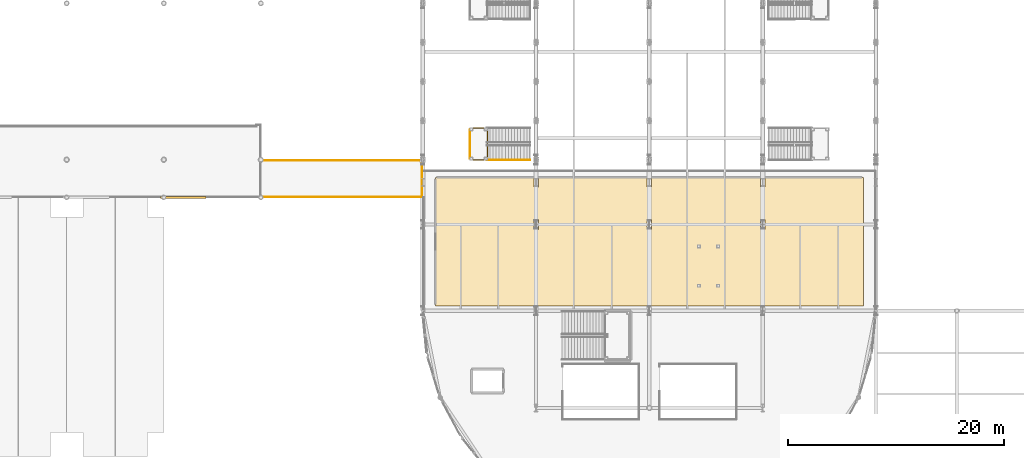
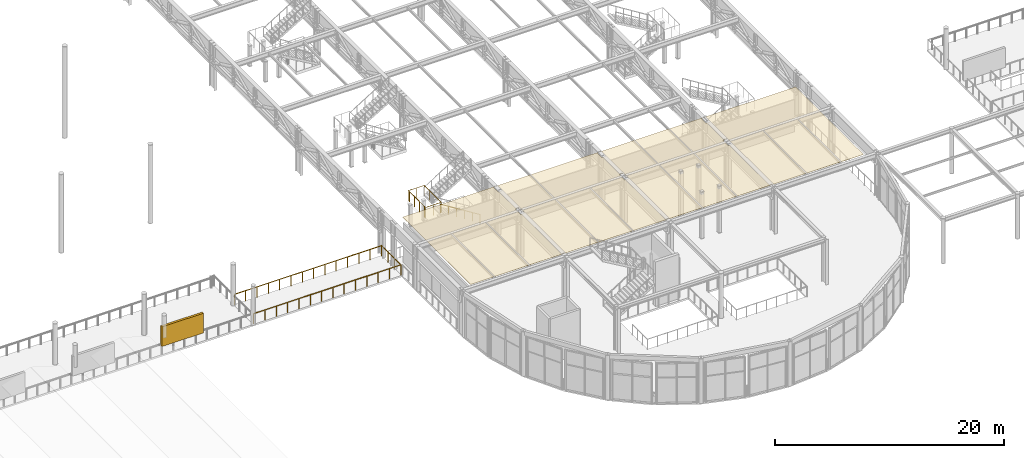
# One storey, part 121 of 143: 5 railings, 1 covering, 1 shading device.
"""IFC4 building model written with IfcOpenShell, lengths in metres."""

from ifc_helpers import new_model, si_unit, direction, frame, origin, origin_2d, place, context, subcontext, project, spatial, polyline, rectangle, circle, outline, extrude, material, layer, layer_set, type_object, element, save


model = new_model("IFC4")

# Units and contexts
model_context = context("Model", 3, precision=1e-05, world=origin(), true_north=direction((0.0, 1.0)))
body_context = subcontext(model_context, "Body", "Model", "MODEL_VIEW")
ifc_project = project(units=[si_unit("LENGTHUNIT", "METRE"), si_unit("AREAUNIT", "SQUARE_METRE"), si_unit("VOLUMEUNIT", "CUBIC_METRE"), si_unit("PLANEANGLEUNIT", "RADIAN"), si_unit("MASSUNIT", "GRAM", prefix="KILO")], contexts=[model_context])

# Site, building, storey
site_placement = place(None, origin())
site = spatial("IfcSite", under=ifc_project, at=site_placement, CompositionType="ELEMENT")
building_placement = place(site_placement, origin())
building = spatial("IfcBuilding", under=site, at=building_placement, Name="Marlcrest Central Station", CompositionType="ELEMENT")
storey_placement = place(building_placement, frame((0.0, 0.0, 4.800048828125)))
storey = spatial("IfcBuildingStorey", under=building, at=storey_placement, Name="L01", CompositionType="ELEMENT", Elevation=4.800048828125)

# Covering
ifc_material_1 = material(Name="Perforated acoustic mineral-fibre ceiling")
ifc_layer = layer(ifc_material_1, 0.02490234375, Name="CV-CLG")
ifc_layer_set = layer_set([ifc_layer], Name="Perforated acoustic mineral-fibre ceiling")
covering_type = type_object("IfcCoveringType", Name="CV-CLG", PredefinedType="CEILING", material=ifc_layer_set)
covering_placement = place(storey_placement, frame((0.0, 0.0, 4.675048828125)))
element("IfcCovering", 1, at=covering_placement, inside=storey, type_object=covering_type, Name="cov-clg-0071", PredefinedType="CEILING", context=body_context, shape_type="SweptSolid", body=[
    extrude(outline(polyline([(97.7099609375, 22.9599609375), (97.2900390625, 22.9599609375), (88.159912109375, 22.9599609375), (88.159912109375, 34.840087890625), (127.840087890625, 34.840087890625), (127.840087890625, 22.9599609375), (118.7099609375, 22.9599609375), (118.2900390625, 22.9599609375), (108.2099609375, 22.9599609375), (107.7900390625, 22.9599609375), (97.7099609375, 22.9599609375)]), holes=[polyline([(97.2900390625, 30.9599609375), (97.2900390625, 30.0400390625), (97.7099609375, 30.0400390625), (97.7099609375, 30.9599609375), (97.2900390625, 30.9599609375)]), polyline([(108.2099609375, 30.9599609375), (107.7900390625, 30.9599609375), (107.7900390625, 30.0400390625), (108.2099609375, 30.0400390625), (108.2099609375, 30.9599609375)]), polyline([(118.7099609375, 30.0400390625), (118.7099609375, 30.9599609375), (118.2900390625, 30.9599609375), (118.2900390625, 30.0400390625), (118.7099609375, 30.0400390625)]), polyline([(97.2900390625, 33.989990234375), (97.7099609375, 33.989990234375), (97.7099609375, 34.81005859375), (97.2900390625, 34.81005859375), (97.2900390625, 33.989990234375)]), polyline([(107.7900390625, 34.81005859375), (107.7900390625, 33.989990234375), (108.2099609375, 33.989990234375), (108.2099609375, 34.81005859375), (107.7900390625, 34.81005859375)]), polyline([(118.7099609375, 34.81005859375), (118.2900390625, 34.81005859375), (118.2900390625, 33.989990234375), (118.7099609375, 33.989990234375), (118.7099609375, 34.81005859375)])]), origin(), (0.0, 0.0, 1.0), 0.02490234375),
])

# Railings
ifc_material_2 = material(Name="Stainless steel and laminated glass concourse balustrade", Category="steel")
railing_type_1 = type_object("IfcRailingType", Name="GR-02", PredefinedType="BALUSTRADE", material=ifc_material_2)
railing_1_placement = place(storey_placement, frame((91.3798828125, 36.4599609375, 2.5)))
element("IfcRailing", 2, at=railing_1_placement, inside=storey, type_object=railing_type_1, Name="hr-L01-00016", PredefinedType="BALUSTRADE", context=body_context, shape_type="SweptSolid", body=[
    extrude(circle(Radius=0.02392578125, at=origin_2d()), frame((0.0, 0.0, 1.09619140625), z_axis=(1.0, 0.0, 0.0), x_axis=(0.0, 1.0, 0.0)), (0.0, 0.0, 1.0), 1.60009765625),
    extrude(circle(Radius=0.02392578125, at=origin_2d()), frame((1.60009765625, 0.0, 1.09619140625), z_axis=(0.0, 1.0, 0.0), x_axis=(-1.0, 0.0, 0.0)), (0.0, 0.0, 1.0), 2.97998046875),
    extrude(circle(Radius=0.02392578125, at=origin_2d()), frame((1.60009765625, 2.97998046875, 1.09619140625), z_axis=(-1.0, 0.0, 0.0), x_axis=(0.0, -1.0, 0.0)), (0.0, 0.0, 1.0), 1.60009765625),
    extrude(circle(Radius=0.02099609375, at=origin_2d()), origin(), (0.0, 0.0, 1.0), 1.072021484375),
    extrude(circle(Radius=0.02099609375, at=origin_2d()), frame((0.800048828125, 0.0, 0.0)), (0.0, 0.0, 1.0), 1.072021484375),
    extrude(circle(Radius=0.02099609375, at=origin_2d()), frame((1.60009765625, 0.0, 0.0)), (0.0, 0.0, 1.0), 1.072021484375),
    extrude(circle(Radius=0.02099609375, at=origin_2d()), frame((1.60009765625, 0.993408203125, 0.0)), (0.0, 0.0, 1.0), 1.072021484375),
    extrude(circle(Radius=0.02099609375, at=origin_2d()), frame((1.60009765625, 1.986572265625, 0.0)), (0.0, 0.0, 1.0), 1.072021484375),
    extrude(circle(Radius=0.02099609375, at=origin_2d()), frame((1.60009765625, 2.97998046875, 0.0)), (0.0, 0.0, 1.0), 1.072021484375),
    extrude(circle(Radius=0.02099609375, at=origin_2d()), frame((0.800048828125, 2.97998046875, 0.0)), (0.0, 0.0, 1.0), 1.072021484375),
    extrude(circle(Radius=0.02099609375, at=origin_2d()), frame((0.0, 2.97998046875, 0.0)), (0.0, 0.0, 1.0), 1.072021484375),
])
railing_2_placement = place(storey_placement, frame((86.93994140625, 36.43994140625, 0.0)))
element("IfcRailing", 3, at=railing_2_placement, inside=storey, type_object=railing_type_1, Name="hr-L01-00400", PredefinedType="BALUSTRADE", context=body_context, shape_type="SweptSolid", body=[
    extrude(circle(Radius=0.02392578125, at=origin_2d()), frame((0.0, 0.0, 1.09619140625), z_axis=(0.0, -1.0, 0.0), x_axis=(1.0, 0.0, 0.0)), (0.0, 0.0, 1.0), 3.3798828125),
    extrude(circle(Radius=0.02392578125, at=origin_2d()), frame((0.0, -3.3798828125, 1.09619140625), z_axis=(-1.0, 0.0, 0.0), x_axis=(0.0, -1.0, 0.0)), (0.0, 0.0, 1.0), 14.85986328125),
    extrude(circle(Radius=0.02099609375, at=origin_2d()), origin(), (0.0, 0.0, 1.0), 1.072021484375),
    extrude(circle(Radius=0.02099609375, at=origin_2d()), frame((0.0, -1.126708984375, 0.0)), (0.0, 0.0, 1.0), 1.072021484375),
    extrude(circle(Radius=0.02099609375, at=origin_2d()), frame((0.0, -2.253173828125, 0.0)), (0.0, 0.0, 1.0), 1.072021484375),
    extrude(circle(Radius=0.02099609375, at=origin_2d()), frame((0.0, -3.3798828125, 0.0)), (0.0, 0.0, 1.0), 1.072021484375),
    extrude(circle(Radius=0.02099609375, at=origin_2d()), frame((-1.14306640625, -3.3798828125, 0.0)), (0.0, 0.0, 1.0), 1.072021484375),
    extrude(circle(Radius=0.02099609375, at=origin_2d()), frame((-2.2861328125, -3.3798828125, 0.0)), (0.0, 0.0, 1.0), 1.072021484375),
    extrude(circle(Radius=0.02099609375, at=origin_2d()), frame((-3.42919921875, -3.3798828125, 0.0)), (0.0, 0.0, 1.0), 1.072021484375),
    extrude(circle(Radius=0.02099609375, at=origin_2d()), frame((-4.572265625, -3.3798828125, 0.0)), (0.0, 0.0, 1.0), 1.072021484375),
    extrude(circle(Radius=0.02099609375, at=origin_2d()), frame((-5.71533203125, -3.3798828125, 0.0)), (0.0, 0.0, 1.0), 1.072021484375),
    extrude(circle(Radius=0.02099609375, at=origin_2d()), frame((-6.8583984375, -3.3798828125, 0.0)), (0.0, 0.0, 1.0), 1.072021484375),
    extrude(circle(Radius=0.02099609375, at=origin_2d()), frame((-8.00146484375, -3.3798828125, 0.0)), (0.0, 0.0, 1.0), 1.072021484375),
    extrude(circle(Radius=0.02099609375, at=origin_2d()), frame((-9.14453125, -3.3798828125, 0.0)), (0.0, 0.0, 1.0), 1.072021484375),
    extrude(circle(Radius=0.02099609375, at=origin_2d()), frame((-10.28759765625, -3.3798828125, 0.0)), (0.0, 0.0, 1.0), 1.072021484375),
    extrude(circle(Radius=0.02099609375, at=origin_2d()), frame((-11.4306640625, -3.3798828125, 0.0)), (0.0, 0.0, 1.0), 1.072021484375),
    extrude(circle(Radius=0.02099609375, at=origin_2d()), frame((-12.57373046875, -3.3798828125, 0.0)), (0.0, 0.0, 1.0), 1.072021484375),
    extrude(circle(Radius=0.02099609375, at=origin_2d()), frame((-13.716796875, -3.3798828125, 0.0)), (0.0, 0.0, 1.0), 1.072021484375),
    extrude(circle(Radius=0.02099609375, at=origin_2d()), frame((-14.85986328125, -3.3798828125, 0.0)), (0.0, 0.0, 1.0), 1.072021484375),
])
railing_3_placement = place(storey_placement, frame((72.080078125, 36.43994140625, 0.0)))
element("IfcRailing", 4, at=railing_3_placement, inside=storey, type_object=railing_type_1, Name="hr-L01-00401", PredefinedType="BALUSTRADE", context=body_context, shape_type="SweptSolid", body=[
    extrude(circle(Radius=0.02392578125, at=origin_2d()), frame((0.0, 0.0, 1.09619140625), z_axis=(1.0, 0.0, 0.0), x_axis=(0.0, 1.0, 0.0)), (0.0, 0.0, 1.0), 14.85986328125),
    extrude(circle(Radius=0.02099609375, at=origin_2d()), origin(), (0.0, 0.0, 1.0), 1.072021484375),
    extrude(circle(Radius=0.02099609375, at=origin_2d()), frame((1.14306640625, 0.0, 0.0)), (0.0, 0.0, 1.0), 1.072021484375),
    extrude(circle(Radius=0.02099609375, at=origin_2d()), frame((2.2861328125, 0.0, 0.0)), (0.0, 0.0, 1.0), 1.072021484375),
    extrude(circle(Radius=0.02099609375, at=origin_2d()), frame((3.42919921875, 0.0, 0.0)), (0.0, 0.0, 1.0), 1.072021484375),
    extrude(circle(Radius=0.02099609375, at=origin_2d()), frame((4.572265625, 0.0, 0.0)), (0.0, 0.0, 1.0), 1.072021484375),
    extrude(circle(Radius=0.02099609375, at=origin_2d()), frame((5.71533203125, 0.0, 0.0)), (0.0, 0.0, 1.0), 1.072021484375),
    extrude(circle(Radius=0.02099609375, at=origin_2d()), frame((6.8583984375, 0.0, 0.0)), (0.0, 0.0, 1.0), 1.072021484375),
    extrude(circle(Radius=0.02099609375, at=origin_2d()), frame((8.00146484375, 0.0, 0.0)), (0.0, 0.0, 1.0), 1.072021484375),
    extrude(circle(Radius=0.02099609375, at=origin_2d()), frame((9.14453125, 0.0, 0.0)), (0.0, 0.0, 1.0), 1.072021484375),
    extrude(circle(Radius=0.02099609375, at=origin_2d()), frame((10.28759765625, 0.0, 0.0)), (0.0, 0.0, 1.0), 1.072021484375),
    extrude(circle(Radius=0.02099609375, at=origin_2d()), frame((11.4306640625, 0.0, 0.0)), (0.0, 0.0, 1.0), 1.072021484375),
    extrude(circle(Radius=0.02099609375, at=origin_2d()), frame((12.57373046875, 0.0, 0.0)), (0.0, 0.0, 1.0), 1.072021484375),
    extrude(circle(Radius=0.02099609375, at=origin_2d()), frame((13.716796875, 0.0, 0.0)), (0.0, 0.0, 1.0), 1.072021484375),
    extrude(circle(Radius=0.02099609375, at=origin_2d()), frame((14.85986328125, 0.0, 0.0)), (0.0, 0.0, 1.0), 1.072021484375),
])
railing_4_placement = place(storey_placement, frame((91.39990234375, 36.60009765625, 2.5)))
element("IfcRailing", 5, at=railing_4_placement, inside=storey, type_object=railing_type_1, Name="hr-L01-00570", PredefinedType="BALUSTRADE", context=body_context, shape_type="SweptSolid", body=[
    extrude(circle(Radius=0.02392578125, at=origin_2d()), frame((0.0, 0.0, 1.09619140625), z_axis=(0.0, 1.0, 0.0), x_axis=(-1.0, 0.0, 0.0)), (0.0, 0.0, 1.0), 2.699951171875),
    extrude(circle(Radius=0.02099609375, at=origin_2d()), origin(), (0.0, 0.0, 1.0), 1.072021484375),
    extrude(circle(Radius=0.02099609375, at=origin_2d()), frame((0.0, 0.89990234375, 0.0)), (0.0, 0.0, 1.0), 1.072021484375),
    extrude(circle(Radius=0.02099609375, at=origin_2d()), frame((0.0, 1.800048828125, 0.0)), (0.0, 0.0, 1.0), 1.072021484375),
    extrude(circle(Radius=0.02099609375, at=origin_2d()), frame((0.0, 2.699951171875, 0.0)), (0.0, 0.0, 1.0), 1.072021484375),
])
ifc_material_3 = material(Name="Brushed stainless steel handrail", Category="steel")
railing_type_2 = type_object("IfcRailingType", Name="HR-01", PredefinedType="HANDRAIL", material=ifc_material_3)
railing_5_placement = place(storey_placement, frame((96.929931640625, 36.47509765625, 0.0)))
element("IfcRailing", 6, at=railing_5_placement, inside=storey, type_object=railing_type_2, Name="hr-L01-00012", PredefinedType="HANDRAIL", context=body_context, shape_type="SweptSolid", body=[
    extrude(circle(Radius=0.02392578125, at=origin_2d()), frame((0.0, 0.0, 0.89599609375), z_axis=(-0.847400605549, 0.0, 0.530954059892), x_axis=(0.0, -1.0, 0.0)), (0.0, 0.0, 1.0), 4.70849609375),
    extrude(circle(Radius=0.02099609375, at=origin_2d()), origin(), (0.0, 0.0, 1.0), 0.871826171875),
    extrude(circle(Radius=0.02099609375, at=origin_2d()), frame((-0.798095703125, 0.0, 0.5)), (0.0, 0.0, 1.0), 0.871826171875),
    extrude(circle(Radius=0.02099609375, at=origin_2d()), frame((-1.595947265625, 0.0, 1.0)), (0.0, 0.0, 1.0), 0.871826171875),
    extrude(circle(Radius=0.02099609375, at=origin_2d()), frame((-2.39404296875, 0.0, 1.5)), (0.0, 0.0, 1.0), 0.871826171875),
    extrude(circle(Radius=0.02099609375, at=origin_2d()), frame((-3.19189453125, 0.0, 2.0)), (0.0, 0.0, 1.0), 0.871826171875),
    extrude(circle(Radius=0.02099609375, at=origin_2d()), frame((-3.989990234375, 0.0, 2.5)), (0.0, 0.0, 1.0), 0.871826171875),
])

# Shading device
ifc_material_4 = material(Name="Bronze-anodised aluminium storm louvre", Category="aluminium")
shading_device_type = type_object("IfcShadingDeviceType", Name="SD-JL2", PredefinedType="JALOUSIE", material=ifc_material_4)
shading_device_placement = place(storey_placement, frame((64.800048828125, 33.0, 0.949951171875), z_axis=(0.0, 0.0, 1.0), x_axis=(1.0, 0.0, 0.0)))
element("IfcShadingDevice", 7, at=shading_device_placement, inside=storey, type_object=shading_device_type, Name="shd-L01-0078", PredefinedType="JALOUSIE", context=body_context, shape_type="SweptSolid", body=[
    extrude(rectangle(XDim=4.199951171875, YDim=0.219970703125, at=origin_2d()), origin(), (0.0, 0.0, 1.0), 2.10009765625),
])

save(model, "model.ifc")
